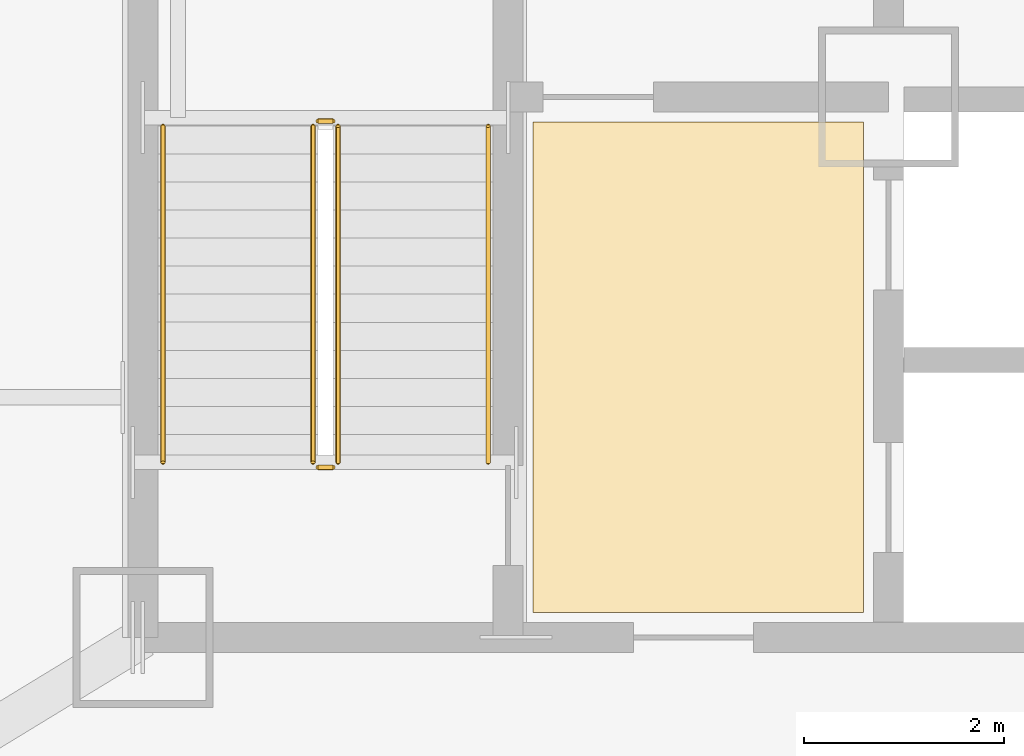
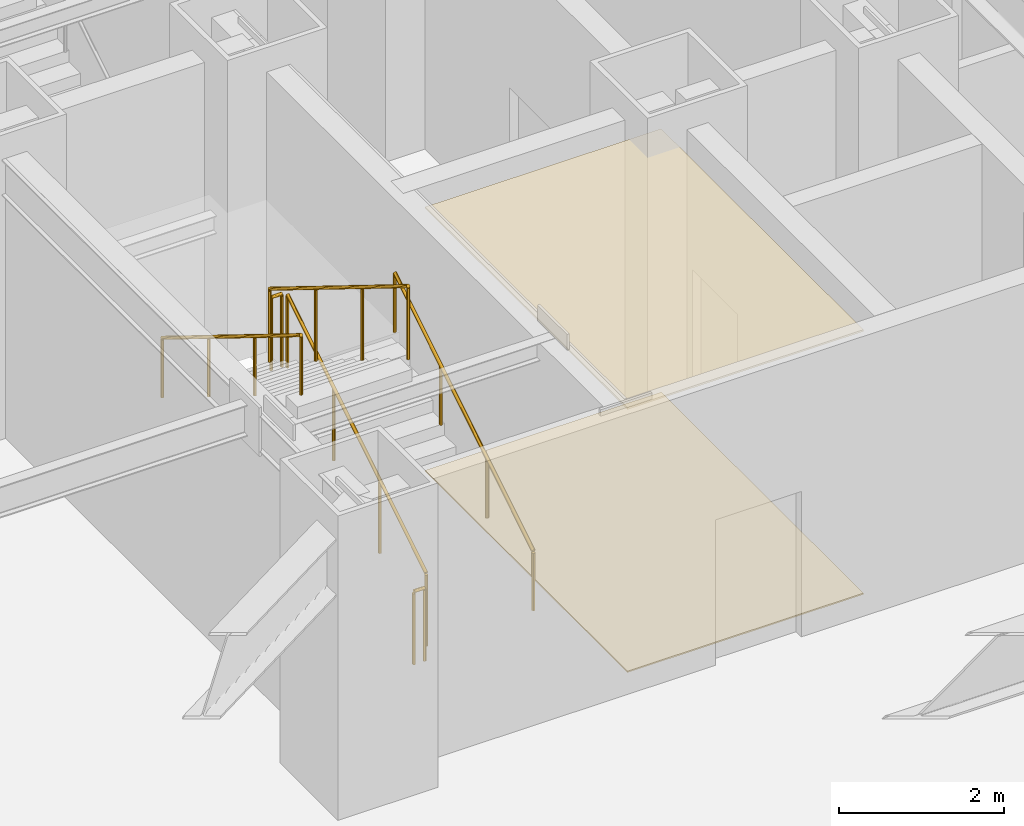
# One storey, part 12 of 14: 6 railings, 2 coverings.
"""IFC4 building model written with IfcOpenShell, lengths in metres."""

from ifc_helpers import new_model, si_unit, direction, frame, origin, origin_2d, place, context, subcontext, project, spatial, polyline, circle, outline, extrude, material, layer, layer_set, type_object, element, save


model = new_model("IFC4")

# Units and contexts
model_context = context("Model", 3, precision=1e-05, world=origin(), true_north=direction((0.0, 1.0)))
body_context = subcontext(model_context, "Body", "Model", "MODEL_VIEW")
ifc_project = project(units=[si_unit("LENGTHUNIT", "METRE"), si_unit("AREAUNIT", "SQUARE_METRE"), si_unit("VOLUMEUNIT", "CUBIC_METRE"), si_unit("PLANEANGLEUNIT", "RADIAN"), si_unit("MASSUNIT", "GRAM", prefix="KILO")], contexts=[model_context])

# Site, building, storey
site_placement = place(None, origin())
site = spatial("IfcSite", under=ifc_project, at=site_placement, CompositionType="ELEMENT")
building_placement = place(site_placement, origin())
building = spatial("IfcBuilding", under=site, at=building_placement, Name="Khamvora Tower", CompositionType="ELEMENT")
storey_placement = place(building_placement, frame((0.0, 0.0, -4.5)))
storey = spatial("IfcBuildingStorey", under=building, at=storey_placement, Name="B1", CompositionType="ELEMENT", Elevation=-4.5)

# Coverings
ifc_material_1 = material(Name="Perforated Mineral-Fibre Acoustic Ceiling Tile", Category="gypsum")
ifc_layer_1 = layer(ifc_material_1, 0.02490234375)
ifc_layer_set_1 = layer_set([ifc_layer_1], Name="Perforated Mineral-Fibre Acoustic Ceiling Tile")
covering_type_1 = type_object("IfcCoveringType", Name="COV-CEIL-600", PredefinedType="CEILING", material=ifc_layer_set_1)
covering_1_placement = place(storey_placement, frame((0.0, 0.0, 3.889892578125)))
element("IfcCovering", 1, at=covering_1_placement, inside=storey, type_object=covering_type_1, Name="B1 core lobby suspended acoustic ceiling", PredefinedType="CEILING", context=body_context, shape_type="SweptSolid", body=[
    extrude(outline(polyline([(32.89990234375, 19.25), (36.199951171875, 19.25), (36.199951171875, 24.14990234375), (32.89990234375, 24.14990234375), (32.89990234375, 19.25)])), origin(), (0.0, 0.0, 1.0), 0.025146484375),
])
ifc_material_2 = material(Name="Honed Terrazzo Stone Tile", Category="masonry")
ifc_layer_2 = layer(ifc_material_2, 0.02001953125)
ifc_layer_set_2 = layer_set([ifc_layer_2], Name="Honed Terrazzo Stone Tile")
covering_type_2 = type_object("IfcCoveringType", Name="COV-FLOR-20", PredefinedType="FLOORING", material=ifc_layer_set_2)
covering_2_placement = place(storey_placement, origin())
element("IfcCovering", 2, at=covering_2_placement, inside=storey, type_object=covering_type_2, Name="B1 lift lobby terrazzo flooring", PredefinedType="FLOORING", context=body_context, shape_type="SweptSolid", body=[
    extrude(outline(polyline([(32.89990234375, 19.25), (36.199951171875, 19.25), (36.199951171875, 24.14990234375), (32.89990234375, 24.14990234375), (32.89990234375, 19.25)])), origin(), (0.0, 0.0, 1.0), 0.02001953125),
])

# Railings
ifc_material_3 = material(Name="Brushed Stainless Steel 316", Category="steel")
railing_type_1 = type_object("IfcRailingType", Name="RAL-HDR-920", PredefinedType="HANDRAIL", material=ifc_material_3)
railing_1_placement = place(storey_placement, frame((32.449951171875, 20.75, 0.173095703125)))
element("IfcRailing", 3, at=railing_1_placement, inside=storey, type_object=railing_type_1, Name="B1 ST-01 stair handrail 1", PredefinedType="HANDRAIL", context=body_context, shape_type="SweptSolid", body=[
    extrude(circle(Radius=0.02392578125, at=origin_2d()), frame((0.0, 0.0, 0.8759765625), z_axis=(0.0, 0.850623216509, 0.525775754039), x_axis=(-1.0, 0.0, 0.0)), (0.0, 0.0, 1.0), 3.9501953125),
    extrude(circle(Radius=0.02099609375, at=origin_2d()), origin(), (0.0, 0.0, 1.0), 0.851806640625),
    extrude(circle(Radius=0.02099609375, at=origin_2d()), frame((0.0, 1.1201171875, 0.6923828125)), (0.0, 0.0, 1.0), 0.851806640625),
    extrude(circle(Radius=0.02099609375, at=origin_2d()), frame((0.0, 2.239990234375, 1.384521484375)), (0.0, 0.0, 1.0), 0.851806640625),
    extrude(circle(Radius=0.02099609375, at=origin_2d()), frame((0.0, 3.360107421875, 2.076904296875)), (0.0, 0.0, 1.0), 0.851806640625),
])
railing_2_placement = place(storey_placement, frame((29.199951171875, 24.110107421875, 2.423095703125)))
element("IfcRailing", 4, at=railing_2_placement, inside=storey, type_object=railing_type_1, Name="B1 ST-01 stair handrail 2", PredefinedType="HANDRAIL", context=body_context, shape_type="SweptSolid", body=[
    extrude(circle(Radius=0.02392578125, at=origin_2d()), frame((0.0, 0.0, 0.8759765625), z_axis=(0.0, -0.850623216509, 0.525775754039), x_axis=(1.0, 0.0, 0.0)), (0.0, 0.0, 1.0), 3.9501953125),
    extrude(circle(Radius=0.02099609375, at=origin_2d()), origin(), (0.0, 0.0, 1.0), 0.851806640625),
    extrude(circle(Radius=0.02099609375, at=origin_2d()), frame((0.0, -1.1201171875, 0.6923828125)), (0.0, 0.0, 1.0), 0.851806640625),
    extrude(circle(Radius=0.02099609375, at=origin_2d()), frame((0.0, -2.239990234375, 1.384521484375)), (0.0, 0.0, 1.0), 0.851806640625),
    extrude(circle(Radius=0.02099609375, at=origin_2d()), frame((0.0, -3.360107421875, 2.076904296875)), (0.0, 0.0, 1.0), 0.851806640625),
])
ifc_material_4 = material(Name="Stainless Steel 316", Category="steel")
railing_type_2 = type_object("IfcRailingType", Name="RAL-STG-1100", PredefinedType="GUARDRAIL", material=ifc_material_4)
railing_3_placement = place(storey_placement, frame((30.949951171875, 20.75, 0.173095703125)))
element("IfcRailing", 5, at=railing_3_placement, inside=storey, type_object=railing_type_2, Name="B1 ST-01 stair guard 1", PredefinedType="GUARDRAIL", context=body_context, shape_type="SweptSolid", body=[
    extrude(circle(Radius=0.02392578125, at=origin_2d()), frame((0.0, 0.0, 1.076171875), z_axis=(0.0, 0.850623216509, 0.525775754039), x_axis=(-1.0, 0.0, 0.0)), (0.0, 0.0, 1.0), 3.9501953125),
    extrude(circle(Radius=0.02099609375, at=origin_2d()), origin(), (0.0, 0.0, 1.0), 1.052001953125),
    extrude(circle(Radius=0.02099609375, at=origin_2d()), frame((0.0, 1.1201171875, 0.6923828125)), (0.0, 0.0, 1.0), 1.052001953125),
    extrude(circle(Radius=0.02099609375, at=origin_2d()), frame((0.0, 2.239990234375, 1.384521484375)), (0.0, 0.0, 1.0), 1.052001953125),
    extrude(circle(Radius=0.02099609375, at=origin_2d()), frame((0.0, 3.360107421875, 2.076904296875)), (0.0, 0.0, 1.0), 1.052001953125),
])
railing_4_placement = place(storey_placement, frame((30.89990234375, 24.159912109375, 2.25)))
element("IfcRailing", 6, at=railing_4_placement, inside=storey, type_object=railing_type_2, Name="B1 ST-01 stair guard 2", PredefinedType="GUARDRAIL", context=body_context, shape_type="SweptSolid", body=[
    extrude(circle(Radius=0.02392578125, at=origin_2d()), frame((0.0, 0.0, 1.076171875), z_axis=(-1.0, 0.0, 0.0), x_axis=(0.0, -1.0, 0.0)), (0.0, 0.0, 1.0), 0.14990234375),
    extrude(circle(Radius=0.02099609375, at=origin_2d()), origin(), (0.0, 0.0, 1.0), 1.052001953125),
    extrude(circle(Radius=0.02099609375, at=origin_2d()), frame((-0.14990234375, 0.0, 0.0)), (0.0, 0.0, 1.0), 1.052001953125),
])
railing_5_placement = place(storey_placement, frame((30.699951171875, 24.110107421875, 2.423095703125)))
element("IfcRailing", 7, at=railing_5_placement, inside=storey, type_object=railing_type_2, Name="B1 ST-01 stair guard 3", PredefinedType="GUARDRAIL", context=body_context, shape_type="SweptSolid", body=[
    extrude(circle(Radius=0.02392578125, at=origin_2d()), frame((0.0, 0.0, 1.076171875), z_axis=(0.0, -0.850623216509, 0.525775754039), x_axis=(1.0, 0.0, 0.0)), (0.0, 0.0, 1.0), 3.9501953125),
    extrude(circle(Radius=0.02099609375, at=origin_2d()), origin(), (0.0, 0.0, 1.0), 1.052001953125),
    extrude(circle(Radius=0.02099609375, at=origin_2d()), frame((0.0, -1.1201171875, 0.6923828125)), (0.0, 0.0, 1.0), 1.052001953125),
    extrude(circle(Radius=0.02099609375, at=origin_2d()), frame((0.0, -2.239990234375, 1.384521484375)), (0.0, 0.0, 1.0), 1.052001953125),
    extrude(circle(Radius=0.02099609375, at=origin_2d()), frame((0.0, -3.360107421875, 2.076904296875)), (0.0, 0.0, 1.0), 1.052001953125),
])
railing_6_placement = place(storey_placement, frame((30.89990234375, 20.699951171875, 0.0)))
element("IfcRailing", 8, at=railing_6_placement, inside=storey, type_object=railing_type_2, Name="B1 ST-01 stair guard 4", PredefinedType="GUARDRAIL", context=body_context, shape_type="SweptSolid", body=[
    extrude(circle(Radius=0.02392578125, at=origin_2d()), frame((0.0, 0.0, 1.076171875), z_axis=(-1.0, 0.0, 0.0), x_axis=(0.0, -1.0, 0.0)), (0.0, 0.0, 1.0), 0.14990234375),
    extrude(circle(Radius=0.02099609375, at=origin_2d()), origin(), (0.0, 0.0, 1.0), 1.052001953125),
    extrude(circle(Radius=0.02099609375, at=origin_2d()), frame((-0.14990234375, 0.0, 0.0)), (0.0, 0.0, 1.0), 1.052001953125),
])

save(model, "model.ifc")
